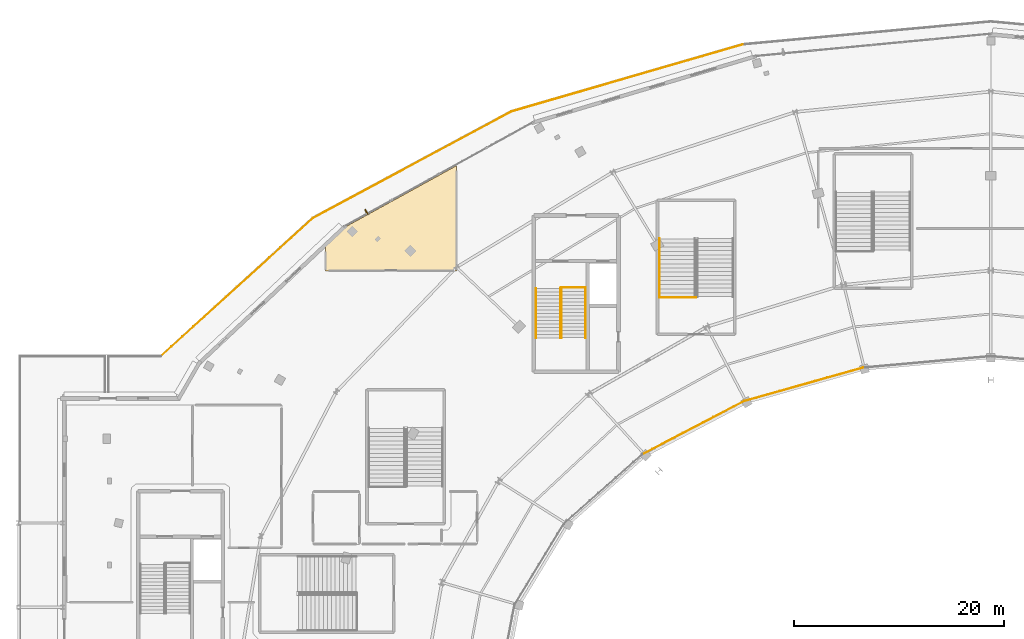
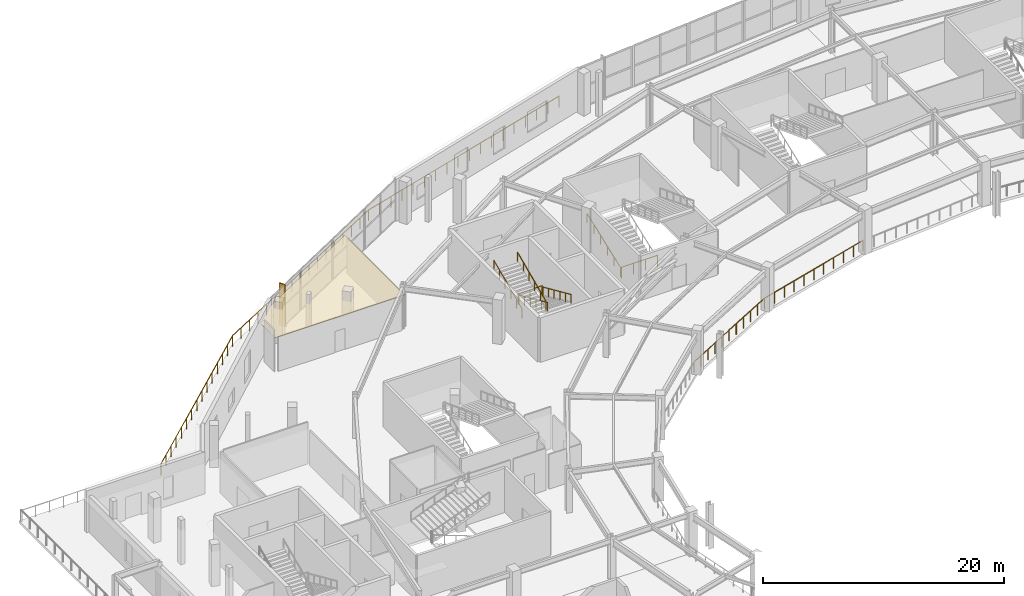
# One storey, part 98 of 107: 12 railings, 1 covering, 1 shading device.
"""IFC4 building model written with IfcOpenShell, lengths in metres."""

from ifc_helpers import new_model, si_unit, direction, frame, origin, origin_2d, place, context, subcontext, project, spatial, polyline, rectangle, circle, outline, extrude, material, layer, layer_set, type_object, element, save


model = new_model("IFC4")

# Units and contexts
model_context = context("Model", 3, precision=1e-05, world=origin(), true_north=direction((0.0, 1.0)))
body_context = subcontext(model_context, "Body", "Model", "MODEL_VIEW")
ifc_project = project(units=[si_unit("LENGTHUNIT", "METRE"), si_unit("AREAUNIT", "SQUARE_METRE"), si_unit("VOLUMEUNIT", "CUBIC_METRE"), si_unit("PLANEANGLEUNIT", "RADIAN"), si_unit("MASSUNIT", "GRAM", prefix="KILO")], contexts=[model_context])

# Site, building, storey
site_placement = place(None, origin())
site = spatial("IfcSite", under=ifc_project, at=site_placement, CompositionType="ELEMENT")
building_placement = place(site_placement, origin())
building = spatial("IfcBuilding", under=site, at=building_placement, Name="Kalgoora Escarpment Arena", CompositionType="ELEMENT")
storey_placement = place(building_placement, frame((0.0, 0.0, 5.39990234375)))
storey = spatial("IfcBuildingStorey", under=building, at=storey_placement, Name="L01", CompositionType="ELEMENT", Elevation=5.39990234375)

# Covering
ifc_material_1 = material(Name="Perforated acoustic mineral-fibre ceiling tile")
ifc_layer_1 = layer(ifc_material_1, 0.02490234375)
ifc_layer_set_1 = layer_set([ifc_layer_1], Name="COV-CEIL-ACOUSTIC")
covering_type = type_object("IfcCoveringType", Name="COV-CEIL-ACOUSTIC", PredefinedType="CEILING", material=ifc_layer_set_1)
covering_placement = place(storey_placement, frame((0.0, 0.0, 3.47998046875)))
element("IfcCovering", 1, at=covering_placement, inside=storey, type_object=covering_type, Name="L01 Swan Ticket Box Office acoustic suspended ceiling", PredefinedType="CEILING", context=body_context, shape_type="SweptSolid", body=[
    extrude(outline(polyline([(29.192138671875, 103.960693359375), (29.159912109375, 106.376220703125), (31.000244140625, 108.101806640625), (41.630859375, 113.956787109375), (41.62548828125, 103.968994140625), (29.192138671875, 103.960693359375)])), origin(), (0.0, 0.0, 1.0), 0.025146484375),
])

# Railings
ifc_material_2 = material(Name="Galvanised & powdercoated tubular steel", Category="steel")
railing_type_1 = type_object("IfcRailingType", Name="RAL-GUARD-1120", PredefinedType="GUARDRAIL", material=ifc_material_2)
railing_1_placement = place(storey_placement, frame((53.889892578125, 102.389892578125, 0.0)))
element("IfcRailing", 2, at=railing_1_placement, inside=storey, type_object=railing_type_1, Name="ST03 L01 floor landing well guard", PredefinedType="GUARDRAIL", context=body_context, shape_type="SweptSolid", body=[
    extrude(circle(Radius=0.02392578125, at=origin_2d()), frame((0.0, 0.0, 1.09619140625), z_axis=(-1.0, 0.0, 0.0), x_axis=(0.0, -1.0, 0.0)), (0.0, 0.0, 1.0), 2.33984375),
    extrude(circle(Radius=0.02099609375, at=origin_2d()), origin(), (0.0, 0.0, 1.0), 1.072021484375),
    extrude(circle(Radius=0.02099609375, at=origin_2d()), frame((-1.169921875, 0.0, 0.0)), (0.0, 0.0, 1.0), 1.072021484375),
    extrude(circle(Radius=0.02099609375, at=origin_2d()), frame((-2.33984375, 0.0, 0.0)), (0.0, 0.0, 1.0), 1.072021484375),
])
railing_2_placement = place(storey_placement, frame((60.909912109375, 101.409912109375, 0.0)))
element("IfcRailing", 3, at=railing_2_placement, inside=storey, type_object=railing_type_1, Name="ST09 L01 floor landing well guard", PredefinedType="GUARDRAIL", context=body_context, shape_type="SweptSolid", body=[
    extrude(circle(Radius=0.02392578125, at=origin_2d()), frame((0.0, 0.0, 1.09619140625), z_axis=(1.0, 0.0, 0.0), x_axis=(0.0, 1.0, 0.0)), (0.0, 0.0, 1.0), 3.489990234375),
    extrude(circle(Radius=0.02099609375, at=origin_2d()), origin(), (0.0, 0.0, 1.0), 1.072021484375),
    extrude(circle(Radius=0.02099609375, at=origin_2d()), frame((1.163330078125, 0.0, 0.0)), (0.0, 0.0, 1.0), 1.072021484375),
    extrude(circle(Radius=0.02099609375, at=origin_2d()), frame((2.32666015625, 0.0, 0.0)), (0.0, 0.0, 1.0), 1.072021484375),
    extrude(circle(Radius=0.02099609375, at=origin_2d()), frame((3.489990234375, 0.0, 0.0)), (0.0, 0.0, 1.0), 1.072021484375),
])
railing_3_placement = place(storey_placement, frame((80.2744140625, 94.7646484375, 0.0)))
element("IfcRailing", 4, at=railing_3_placement, inside=storey, type_object=railing_type_1, Name="L01 concourse bowl balustrade 08", PredefinedType="GUARDRAIL", context=body_context, shape_type="SweptSolid", body=[
    extrude(circle(Radius=0.02392578125, at=origin_2d()), frame((0.0, 0.0, 1.09619140625), z_axis=(-0.962568569832, -0.271038278425, 0.0), x_axis=(0.271038278425, -0.962568569832, 0.0)), (0.0, 0.0, 1.0), 11.73876953125),
    extrude(circle(Radius=0.02099609375, at=origin_2d()), origin(), (0.0, 0.0, 1.0), 1.072021484375),
    extrude(circle(Radius=0.02099609375, at=origin_2d()), frame((-1.1298828125, -0.318115234375, 0.0)), (0.0, 0.0, 1.0), 1.072021484375),
    extrude(circle(Radius=0.02099609375, at=origin_2d()), frame((-2.259765625, -0.63623046875, 0.0)), (0.0, 0.0, 1.0), 1.072021484375),
    extrude(circle(Radius=0.02099609375, at=origin_2d()), frame((-3.389892578125, -0.95458984375, 0.0)), (0.0, 0.0, 1.0), 1.072021484375),
    extrude(circle(Radius=0.02099609375, at=origin_2d()), frame((-4.519775390625, -1.272705078125, 0.0)), (0.0, 0.0, 1.0), 1.072021484375),
    extrude(circle(Radius=0.02099609375, at=origin_2d()), frame((-5.649658203125, -1.5908203125, 0.0)), (0.0, 0.0, 1.0), 1.072021484375),
    extrude(circle(Radius=0.02099609375, at=origin_2d()), frame((-6.779541015625, -1.908935546875, 0.0)), (0.0, 0.0, 1.0), 1.072021484375),
    extrude(circle(Radius=0.02099609375, at=origin_2d()), frame((-7.909423828125, -2.22705078125, 0.0)), (0.0, 0.0, 1.0), 1.072021484375),
    extrude(circle(Radius=0.02099609375, at=origin_2d()), frame((-9.03955078125, -2.54541015625, 0.0)), (0.0, 0.0, 1.0), 1.072021484375),
    extrude(circle(Radius=0.02099609375, at=origin_2d()), frame((-10.16943359375, -2.863525390625, 0.0)), (0.0, 0.0, 1.0), 1.072021484375),
    extrude(circle(Radius=0.02099609375, at=origin_2d()), frame((-11.29931640625, -3.181640625, 0.0)), (0.0, 0.0, 1.0), 1.072021484375),
])
railing_4_placement = place(storey_placement, frame((68.97509765625, 91.5830078125, 0.0)))
element("IfcRailing", 5, at=railing_4_placement, inside=storey, type_object=railing_type_1, Name="L01 concourse bowl balustrade 09", PredefinedType="GUARDRAIL", context=body_context, shape_type="SweptSolid", body=[
    extrude(circle(Radius=0.02392578125, at=origin_2d()), frame((0.0, 0.0, 1.09619140625), z_axis=(-0.886621438299, -0.462495865007, 0.0), x_axis=(0.462495865007, -0.886621438299, 0.0)), (0.0, 0.0, 1.0), 10.94384765625),
    extrude(circle(Radius=0.02099609375, at=origin_2d()), origin(), (0.0, 0.0, 1.0), 1.072021484375),
    extrude(circle(Radius=0.02099609375, at=origin_2d()), frame((-0.97021484375, -0.506103515625, 0.0)), (0.0, 0.0, 1.0), 1.072021484375),
    extrude(circle(Radius=0.02099609375, at=origin_2d()), frame((-1.940673828125, -1.01220703125, 0.0)), (0.0, 0.0, 1.0), 1.072021484375),
    extrude(circle(Radius=0.02099609375, at=origin_2d()), frame((-2.910888671875, -1.5185546875, 0.0)), (0.0, 0.0, 1.0), 1.072021484375),
    extrude(circle(Radius=0.02099609375, at=origin_2d()), frame((-3.88134765625, -2.024658203125, 0.0)), (0.0, 0.0, 1.0), 1.072021484375),
    extrude(circle(Radius=0.02099609375, at=origin_2d()), frame((-4.8515625, -2.53076171875, 0.0)), (0.0, 0.0, 1.0), 1.072021484375),
    extrude(circle(Radius=0.02099609375, at=origin_2d()), frame((-5.82177734375, -3.036865234375, 0.0)), (0.0, 0.0, 1.0), 1.072021484375),
    extrude(circle(Radius=0.02099609375, at=origin_2d()), frame((-6.792236328125, -3.54296875, 0.0)), (0.0, 0.0, 1.0), 1.072021484375),
    extrude(circle(Radius=0.02099609375, at=origin_2d()), frame((-7.762451171875, -4.04931640625, 0.0)), (0.0, 0.0, 1.0), 1.072021484375),
    extrude(circle(Radius=0.02099609375, at=origin_2d()), frame((-8.73291015625, -4.555419921875, 0.0)), (0.0, 0.0, 1.0), 1.072021484375),
    extrude(circle(Radius=0.02099609375, at=origin_2d()), frame((-9.703125, -5.0615234375, 0.0)), (0.0, 0.0, 1.0), 1.072021484375),
])
ifc_material_3 = material(Name="Brushed stainless steel 316 handrail", Category="steel")
railing_type_2 = type_object("IfcRailingType", Name="RAL-HAND-920", PredefinedType="HANDRAIL", material=ifc_material_3)
for number, where, name in (
    (6, (53.89990234375, 102.31005859375, 0.110107421875), "ST03 L01 pitched stair handrail F1L"),
    (7, (51.610107421875, 102.31005859375, 0.110107421875), "ST03 L01 pitched stair handrail F1R"),
):
    element("IfcRailing", number, at=place(storey_placement, frame(where)), inside=storey, type_object=railing_type_2, Name=name, PredefinedType="HANDRAIL", context=body_context, shape_type="SweptSolid", body=[
        extrude(circle(Radius=0.02392578125, at=origin_2d()), frame((0.0, 0.0, 0.89599609375), z_axis=(0.0, -0.913643874524, 0.406515523129), x_axis=(1.0, 0.0, 0.0)), (0.0, 0.0, 1.0), 5.166015625),
        extrude(circle(Radius=0.02099609375, at=origin_2d()), origin(), (0.0, 0.0, 1.0), 0.871826171875),
        extrude(circle(Radius=0.02099609375, at=origin_2d()), frame((0.0, -0.944091796875, 0.419921875)), (0.0, 0.0, 1.0), 0.871826171875),
        extrude(circle(Radius=0.02099609375, at=origin_2d()), frame((0.0, -1.887939453125, 0.840087890625)), (0.0, 0.0, 1.0), 0.871826171875),
        extrude(circle(Radius=0.02099609375, at=origin_2d()), frame((0.0, -2.83203125, 1.260009765625)), (0.0, 0.0, 1.0), 0.871826171875),
        extrude(circle(Radius=0.02099609375, at=origin_2d()), frame((0.0, -3.77587890625, 1.68017578125)), (0.0, 0.0, 1.0), 0.871826171875),
        extrude(circle(Radius=0.02099609375, at=origin_2d()), frame((0.0, -4.719970703125, 2.10009765625)), (0.0, 0.0, 1.0), 0.871826171875),
    ])
for number, where, name in (
    (8, (51.489990234375, 97.590087890625, 2.360107421875), "ST03 L01 pitched stair handrail F2L"),
    (9, (49.199951171875, 97.590087890625, 2.360107421875), "ST03 L01 pitched stair handrail F2R"),
):
    element("IfcRailing", number, at=place(storey_placement, frame(where)), inside=storey, type_object=railing_type_2, Name=name, PredefinedType="HANDRAIL", context=body_context, shape_type="SweptSolid", body=[
        extrude(circle(Radius=0.02392578125, at=origin_2d()), frame((0.0, 0.0, 0.89599609375), z_axis=(0.0, 0.913643874524, 0.406515523129), x_axis=(-1.0, 0.0, 0.0)), (0.0, 0.0, 1.0), 5.166015625),
        extrude(circle(Radius=0.02099609375, at=origin_2d()), origin(), (0.0, 0.0, 1.0), 0.871826171875),
        extrude(circle(Radius=0.02099609375, at=origin_2d()), frame((0.0, 0.944091796875, 0.419921875)), (0.0, 0.0, 1.0), 0.871826171875),
        extrude(circle(Radius=0.02099609375, at=origin_2d()), frame((0.0, 1.887939453125, 0.840087890625)), (0.0, 0.0, 1.0), 0.871826171875),
        extrude(circle(Radius=0.02099609375, at=origin_2d()), frame((0.0, 2.83203125, 1.260009765625)), (0.0, 0.0, 1.0), 0.871826171875),
        extrude(circle(Radius=0.02099609375, at=origin_2d()), frame((0.0, 3.77587890625, 1.68017578125)), (0.0, 0.0, 1.0), 0.871826171875),
        extrude(circle(Radius=0.02099609375, at=origin_2d()), frame((0.0, 4.719970703125, 2.10009765625)), (0.0, 0.0, 1.0), 0.871826171875),
    ])
railing_5_placement = place(storey_placement, frame((60.89990234375, 101.489990234375, 0.110107421875)))
element("IfcRailing", 10, at=railing_5_placement, inside=storey, type_object=railing_type_2, Name="ST09 L01 pitched stair handrail F1L", PredefinedType="HANDRAIL", context=body_context, shape_type="SweptSolid", body=[
    extrude(circle(Radius=0.02392578125, at=origin_2d()), frame((0.0, 0.0, 0.89599609375), z_axis=(0.0, 0.935492612948, 0.353346248203), x_axis=(-1.0, 0.0, 0.0)), (0.0, 0.0, 1.0), 5.943359375),
    extrude(circle(Radius=0.02099609375, at=origin_2d()), origin(), (0.0, 0.0, 1.0), 0.871826171875),
    extrude(circle(Radius=0.02099609375, at=origin_2d()), frame((0.0, 1.112060546875, 0.419921875)), (0.0, 0.0, 1.0), 0.871826171875),
    extrude(circle(Radius=0.02099609375, at=origin_2d()), frame((0.0, 2.22412109375, 0.840087890625)), (0.0, 0.0, 1.0), 0.871826171875),
    extrude(circle(Radius=0.02099609375, at=origin_2d()), frame((0.0, 3.3359375, 1.260009765625)), (0.0, 0.0, 1.0), 0.871826171875),
    extrude(circle(Radius=0.02099609375, at=origin_2d()), frame((0.0, 4.447998046875, 1.68017578125)), (0.0, 0.0, 1.0), 0.871826171875),
    extrude(circle(Radius=0.02099609375, at=origin_2d()), frame((0.0, 5.56005859375, 2.10009765625)), (0.0, 0.0, 1.0), 0.871826171875),
])
ifc_material_4 = material(Name="Champagne anodised aluminium & laminated glass", Category="aluminium")
railing_type_3 = type_object("IfcRailingType", Name="RAL-TERR-1100", PredefinedType="GUARDRAIL", material=ifc_material_4)
railing_6_placement = place(storey_placement, frame((13.5283203125, 95.840087890625, 0.0)))
element("IfcRailing", 11, at=railing_6_placement, inside=storey, type_object=railing_type_3, Name="Lower Planted Elliptical Garden Promenade perimeter guardrail 013", PredefinedType="GUARDRAIL", context=body_context, shape_type="SweptSolid", body=[
    extrude(circle(Radius=0.02392578125, at=origin_2d()), frame((0.0, 0.0, 1.09619140625), z_axis=(0.740421278074, 0.672143088171, 0.0), x_axis=(-0.672143088171, 0.740421278074, 0.0)), (0.0, 0.0, 1.0), 19.5517578125),
    extrude(circle(Radius=0.02099609375, at=origin_2d()), origin(), (0.0, 0.0, 1.0), 1.072021484375),
    extrude(circle(Radius=0.02099609375, at=origin_2d()), frame((1.033935546875, 0.938720703125, 0.0)), (0.0, 0.0, 1.0), 1.072021484375),
    extrude(circle(Radius=0.02099609375, at=origin_2d()), frame((2.068115234375, 1.87744140625, 0.0)), (0.0, 0.0, 1.0), 1.072021484375),
    extrude(circle(Radius=0.02099609375, at=origin_2d()), frame((3.10205078125, 2.816162109375, 0.0)), (0.0, 0.0, 1.0), 1.072021484375),
    extrude(circle(Radius=0.02099609375, at=origin_2d()), frame((4.13623046875, 3.754638671875, 0.0)), (0.0, 0.0, 1.0), 1.072021484375),
    extrude(circle(Radius=0.02099609375, at=origin_2d()), frame((5.170166015625, 4.693359375, 0.0)), (0.0, 0.0, 1.0), 1.072021484375),
    extrude(circle(Radius=0.02099609375, at=origin_2d()), frame((6.204345703125, 5.632080078125, 0.0)), (0.0, 0.0, 1.0), 1.072021484375),
    extrude(circle(Radius=0.02099609375, at=origin_2d()), frame((7.23828125, 6.57080078125, 0.0)), (0.0, 0.0, 1.0), 1.072021484375),
    extrude(circle(Radius=0.02099609375, at=origin_2d()), frame((8.272216796875, 7.509521484375, 0.0)), (0.0, 0.0, 1.0), 1.072021484375),
    extrude(circle(Radius=0.02099609375, at=origin_2d()), frame((9.306396484375, 8.4482421875, 0.0)), (0.0, 0.0, 1.0), 1.072021484375),
    extrude(circle(Radius=0.02099609375, at=origin_2d()), frame((10.34033203125, 9.386962890625, 0.0)), (0.0, 0.0, 1.0), 1.072021484375),
    extrude(circle(Radius=0.02099609375, at=origin_2d()), frame((11.37451171875, 10.325439453125, 0.0)), (0.0, 0.0, 1.0), 1.072021484375),
    extrude(circle(Radius=0.02099609375, at=origin_2d()), frame((12.408447265625, 11.26416015625, 0.0)), (0.0, 0.0, 1.0), 1.072021484375),
    extrude(circle(Radius=0.02099609375, at=origin_2d()), frame((13.442626953125, 12.202880859375, 0.0)), (0.0, 0.0, 1.0), 1.072021484375),
    extrude(circle(Radius=0.02099609375, at=origin_2d()), frame((14.4765625, 13.1416015625, 0.0)), (0.0, 0.0, 1.0), 1.072021484375),
])
railing_7_placement = place(storey_placement, frame((28.0048828125, 108.981689453125, 0.0)))
element("IfcRailing", 12, at=railing_7_placement, inside=storey, type_object=railing_type_3, Name="Lower Planted Elliptical Garden Promenade perimeter guardrail 014", PredefinedType="GUARDRAIL", context=body_context, shape_type="SweptSolid", body=[
    extrude(circle(Radius=0.02392578125, at=origin_2d()), frame((0.0, 0.0, 1.09619140625), z_axis=(0.881082471233, 0.472962661196, 0.0), x_axis=(-0.472962661196, 0.881082471233, 0.0)), (0.0, 0.0, 1.0), 21.40087890625),
    extrude(circle(Radius=0.02099609375, at=origin_2d()), origin(), (0.0, 0.0, 1.0), 1.072021484375),
    extrude(circle(Radius=0.02099609375, at=origin_2d()), frame((1.178466796875, 0.632568359375, 0.0)), (0.0, 0.0, 1.0), 1.072021484375),
    extrude(circle(Radius=0.02099609375, at=origin_2d()), frame((2.35693359375, 1.26513671875, 0.0)), (0.0, 0.0, 1.0), 1.072021484375),
    extrude(circle(Radius=0.02099609375, at=origin_2d()), frame((3.535400390625, 1.89794921875, 0.0)), (0.0, 0.0, 1.0), 1.072021484375),
    extrude(circle(Radius=0.02099609375, at=origin_2d()), frame((4.7138671875, 2.530517578125, 0.0)), (0.0, 0.0, 1.0), 1.072021484375),
    extrude(circle(Radius=0.02099609375, at=origin_2d()), frame((5.892578125, 3.1630859375, 0.0)), (0.0, 0.0, 1.0), 1.072021484375),
    extrude(circle(Radius=0.02099609375, at=origin_2d()), frame((7.071044921875, 3.795654296875, 0.0)), (0.0, 0.0, 1.0), 1.072021484375),
    extrude(circle(Radius=0.02099609375, at=origin_2d()), frame((8.24951171875, 4.42822265625, 0.0)), (0.0, 0.0, 1.0), 1.072021484375),
    extrude(circle(Radius=0.02099609375, at=origin_2d()), frame((9.427978515625, 5.06103515625, 0.0)), (0.0, 0.0, 1.0), 1.072021484375),
    extrude(circle(Radius=0.02099609375, at=origin_2d()), frame((10.6064453125, 5.693603515625, 0.0)), (0.0, 0.0, 1.0), 1.072021484375),
    extrude(circle(Radius=0.02099609375, at=origin_2d()), frame((11.784912109375, 6.326171875, 0.0)), (0.0, 0.0, 1.0), 1.072021484375),
    extrude(circle(Radius=0.02099609375, at=origin_2d()), frame((12.96337890625, 6.958740234375, 0.0)), (0.0, 0.0, 1.0), 1.072021484375),
    extrude(circle(Radius=0.02099609375, at=origin_2d()), frame((14.14208984375, 7.59130859375, 0.0)), (0.0, 0.0, 1.0), 1.072021484375),
    extrude(circle(Radius=0.02099609375, at=origin_2d()), frame((15.320556640625, 8.223876953125, 0.0)), (0.0, 0.0, 1.0), 1.072021484375),
    extrude(circle(Radius=0.02099609375, at=origin_2d()), frame((16.4990234375, 8.856689453125, 0.0)), (0.0, 0.0, 1.0), 1.072021484375),
    extrude(circle(Radius=0.02099609375, at=origin_2d()), frame((17.677490234375, 9.4892578125, 0.0)), (0.0, 0.0, 1.0), 1.072021484375),
    extrude(circle(Radius=0.02099609375, at=origin_2d()), frame((18.85595703125, 10.121826171875, 0.0)), (0.0, 0.0, 1.0), 1.072021484375),
])
railing_8_placement = place(storey_placement, frame((46.86083984375, 119.103515625, 0.0)))
element("IfcRailing", 13, at=railing_8_placement, inside=storey, type_object=railing_type_3, Name="Lower Planted Elliptical Garden Promenade perimeter guardrail 015", PredefinedType="GUARDRAIL", context=body_context, shape_type="SweptSolid", body=[
    extrude(circle(Radius=0.02392578125, at=origin_2d()), frame((0.0, 0.0, 1.09619140625), z_axis=(0.960488289944, 0.278320399685, 0.0), x_axis=(-0.278320399685, 0.960488289944, 0.0)), (0.0, 0.0, 1.0), 22.868408203125),
    extrude(circle(Radius=0.02099609375, at=origin_2d()), origin(), (0.0, 0.0, 1.0), 1.072021484375),
    extrude(circle(Radius=0.02099609375, at=origin_2d()), frame((1.2919921875, 0.37451171875, 0.0)), (0.0, 0.0, 1.0), 1.072021484375),
    extrude(circle(Radius=0.02099609375, at=origin_2d()), frame((2.583984375, 0.748779296875, 0.0)), (0.0, 0.0, 1.0), 1.072021484375),
    extrude(circle(Radius=0.02099609375, at=origin_2d()), frame((3.876220703125, 1.123291015625, 0.0)), (0.0, 0.0, 1.0), 1.072021484375),
    extrude(circle(Radius=0.02099609375, at=origin_2d()), frame((5.168212890625, 1.49755859375, 0.0)), (0.0, 0.0, 1.0), 1.072021484375),
    extrude(circle(Radius=0.02099609375, at=origin_2d()), frame((6.460205078125, 1.8720703125, 0.0)), (0.0, 0.0, 1.0), 1.072021484375),
    extrude(circle(Radius=0.02099609375, at=origin_2d()), frame((7.752197265625, 2.246337890625, 0.0)), (0.0, 0.0, 1.0), 1.072021484375),
    extrude(circle(Radius=0.02099609375, at=origin_2d()), frame((9.04443359375, 2.620849609375, 0.0)), (0.0, 0.0, 1.0), 1.072021484375),
    extrude(circle(Radius=0.02099609375, at=origin_2d()), frame((10.33642578125, 2.9951171875, 0.0)), (0.0, 0.0, 1.0), 1.072021484375),
    extrude(circle(Radius=0.02099609375, at=origin_2d()), frame((11.62841796875, 3.36962890625, 0.0)), (0.0, 0.0, 1.0), 1.072021484375),
    extrude(circle(Radius=0.02099609375, at=origin_2d()), frame((12.92041015625, 3.743896484375, 0.0)), (0.0, 0.0, 1.0), 1.072021484375),
    extrude(circle(Radius=0.02099609375, at=origin_2d()), frame((14.212646484375, 4.118408203125, 0.0)), (0.0, 0.0, 1.0), 1.072021484375),
    extrude(circle(Radius=0.02099609375, at=origin_2d()), frame((15.504638671875, 4.49267578125, 0.0)), (0.0, 0.0, 1.0), 1.072021484375),
    extrude(circle(Radius=0.02099609375, at=origin_2d()), frame((16.796630859375, 4.8671875, 0.0)), (0.0, 0.0, 1.0), 1.072021484375),
    extrude(circle(Radius=0.02099609375, at=origin_2d()), frame((18.088623046875, 5.241455078125, 0.0)), (0.0, 0.0, 1.0), 1.072021484375),
    extrude(circle(Radius=0.02099609375, at=origin_2d()), frame((19.380859375, 5.615966796875, 0.0)), (0.0, 0.0, 1.0), 1.072021484375),
    extrude(circle(Radius=0.02099609375, at=origin_2d()), frame((20.6728515625, 5.990234375, 0.0)), (0.0, 0.0, 1.0), 1.072021484375),
    extrude(circle(Radius=0.02099609375, at=origin_2d()), frame((21.96484375, 6.36474609375, 0.0)), (0.0, 0.0, 1.0), 1.072021484375),
])

# Shading device
ifc_material_5 = material(Name="Champagne anodised extruded aluminium", Category="aluminium")
ifc_layer_2 = layer(ifc_material_5, 0.080078125)
ifc_layer_set_2 = layer_set([ifc_layer_2], Name="SHD-FIN-CHAMP")
shading_device_type = type_object("IfcShadingDeviceType", Name="SHD-FIN-CHAMP", PredefinedType="USERDEFINED", material=ifc_layer_set_2)
shading_device_placement = place(storey_placement, frame((33.0830078125, 109.548828125, 0.0), z_axis=(0.0, 0.0, 1.0), x_axis=(-0.483282383255, 0.875464527, 0.0)))
element("IfcShadingDevice", 14, at=shading_device_placement, inside=storey, type_object=shading_device_type, Name="L01 champagne anodised solar fin 02", ObjectType="FIN", PredefinedType="USERDEFINED", context=body_context, shape_type="SweptSolid", body=[
    extrude(rectangle(XDim=0.56005859375, YDim=0.10009765625, at=origin_2d()), origin(), (0.0, 0.0, 1.0), 4.25),
])

save(model, "model.ifc")
